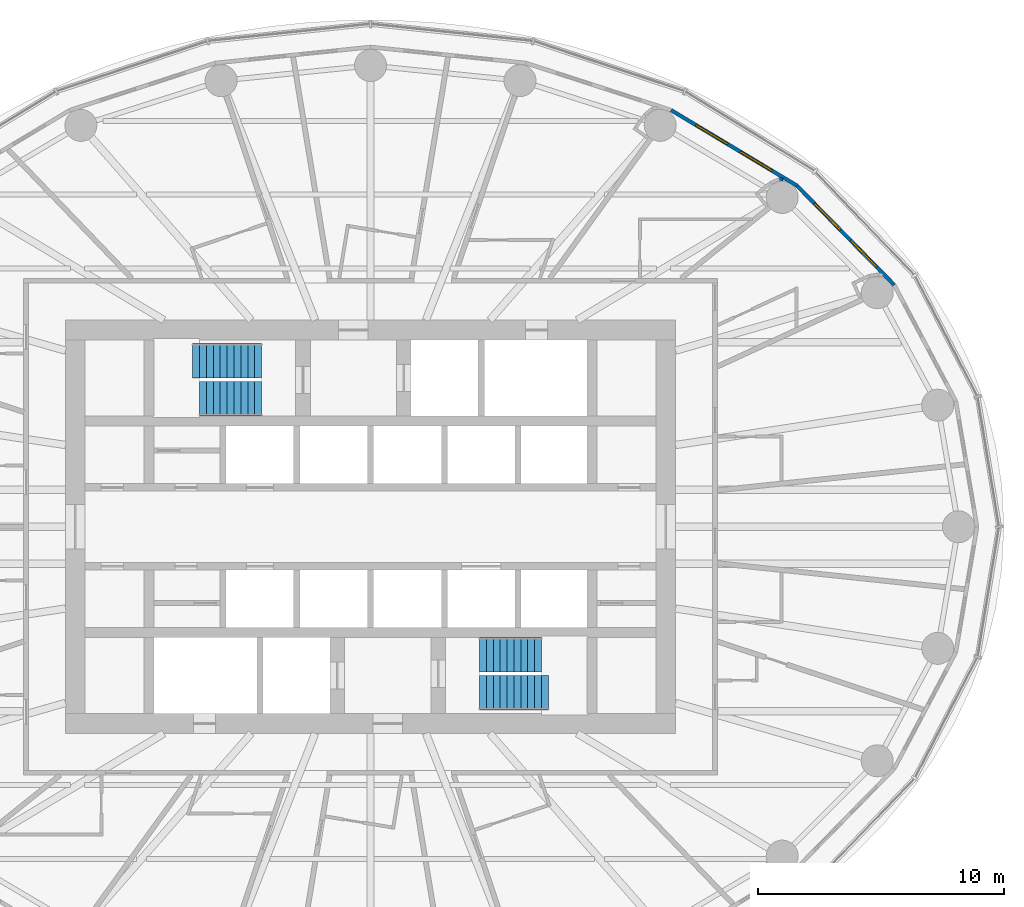
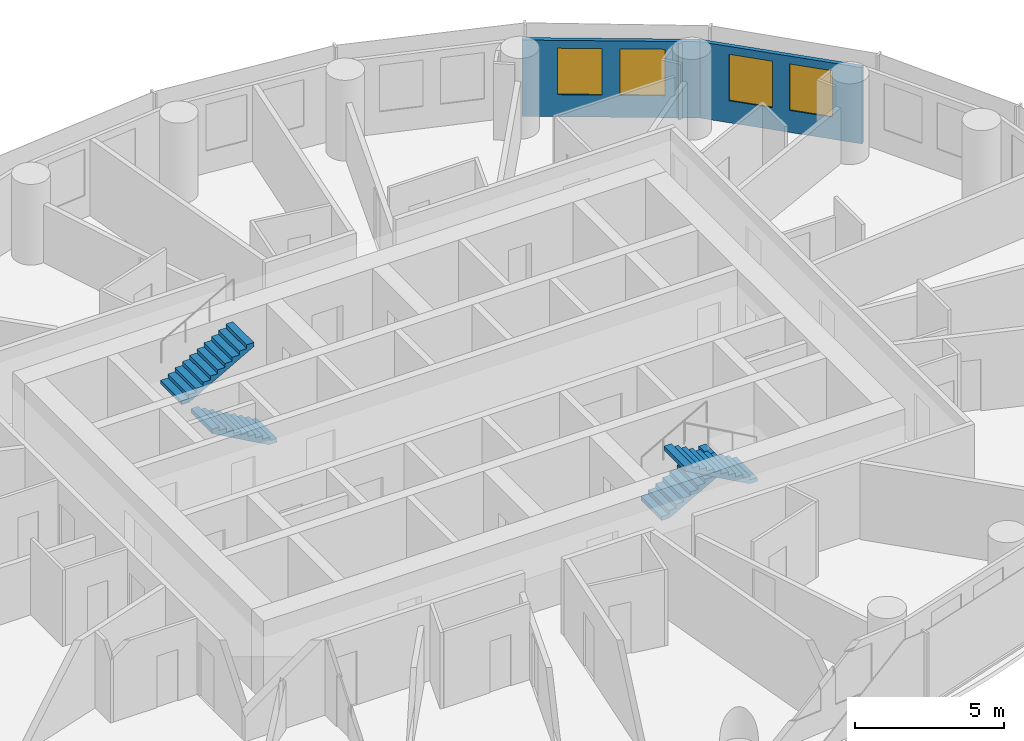
# One storey, part 12 of 13: 4 stair flights, 4 windows, 3 walls, 4 openings, 2 elements without a shape of their own.
"""IFC4 building model written with IfcOpenShell, lengths in metres."""

from ifc_helpers import new_model, si_unit, direction, frame, frame_2d, origin, place, context, subcontext, project, spatial, polyline, rectangle, outline, extrude, material, layer, layer_set, type_object, element, fill, aggregate, save


model = new_model("IFC4")

# Units and contexts
model_context = context("Model", 3, precision=1e-05, world=origin(), true_north=direction((0.0, 1.0)))
body_context = subcontext(model_context, "Body", "Model", "MODEL_VIEW")
ifc_project = project(units=[si_unit("LENGTHUNIT", "METRE"), si_unit("AREAUNIT", "SQUARE_METRE"), si_unit("VOLUMEUNIT", "CUBIC_METRE"), si_unit("PLANEANGLEUNIT", "RADIAN"), si_unit("MASSUNIT", "GRAM", prefix="KILO")], contexts=[model_context])

# Site, building, storey
site_placement = place(None, origin())
site = spatial("IfcSite", under=ifc_project, at=site_placement, CompositionType="ELEMENT")
building_placement = place(site_placement, origin())
building = spatial("IfcBuilding", under=site, at=building_placement, Name="Hankou Lantern Tower", CompositionType="ELEMENT")
storey_placement = place(building_placement, frame((0.0, 0.0, 118.800048828125)))
storey = spatial("IfcBuildingStorey", under=building, at=storey_placement, Name="L30", CompositionType="ELEMENT", Elevation=118.800048828125)

# Wall, openings, windows
ifc_material_1 = material(Name="Aluminium spandrel panel on steel studs", Category="steel")
ifc_layer_1 = layer(ifc_material_1, 0.14990234375)
ifc_layer_set_1 = layer_set([ifc_layer_1], Name="Aluminium spandrel panel on steel studs")
wall_type_1 = type_object("IfcWallType", Name="EW1 INNER SKIN WALL 150", PredefinedType="ELEMENTEDWALL", material=ifc_layer_set_1)
wall_1_placement = place(storey_placement, frame((21.287353515625, 9.83203125, 0.0), z_axis=(0.0, 0.0, 1.0), x_axis=(-0.700136650834, 0.714008872605, 0.0)))
wall_1 = element("IfcWall", 1, at=wall_1_placement, inside=storey, type_object=wall_type_1, Name="Inner skin R03-R04 L30", PredefinedType="ELEMENTEDWALL", context=body_context, shape_type="SweptSolid", body=[
    extrude(rectangle(XDim=5.6494140625, YDim=0.14990234375, at=frame_2d((2.82470703125, 0.0))), origin(), (0.0, 0.0, 1.0), 3.119873046875),
])
opening_1_placement = place(wall_1_placement, frame((1.024658203125, 0.0, 0.89990234375)))
opening_1 = element("IfcOpeningElement", 2, at=opening_1_placement, cuts=wall_1, Name="Opening W2", PredefinedType="OPENING", context=body_context, shape_type="SweptSolid", body=[
    extrude(rectangle(XDim=1.5, YDim=1.89990234375, at=frame_2d((0.75, 0.949951171875))), frame((0.0, 0.0849609375, 0.0), z_axis=(0.0, -1.0, 0.0), x_axis=(1.0, 0.0, 0.0)), (0.0, 0.0, 1.0), 0.169921875),
])
opening_2_placement = place(wall_1_placement, frame((3.12451171875, 0.0, 0.89990234375)))
opening_2 = element("IfcOpeningElement", 3, at=opening_2_placement, cuts=wall_1, Name="Opening W2", PredefinedType="OPENING", context=body_context, shape_type="SweptSolid", body=[
    extrude(rectangle(XDim=1.5, YDim=1.89990234375, at=frame_2d((0.75, 0.949951171875))), frame((0.0, 0.0849609375, 0.0), z_axis=(0.0, -1.0, 0.0), x_axis=(1.0, 0.0, 0.0)), (0.0, 0.0, 1.0), 0.169921875),
])
ifc_material_2 = material(Name="Aluminium framed double glazed window", Category="aluminium")
window_type = type_object("IfcWindowType", Name="W2 GUEST ROOM WINDOW 1500X1900", PartitioningType="DOUBLE_PANEL_VERTICAL", PredefinedType="WINDOW", material=ifc_material_2)
window_1_placement = place(opening_1_placement, origin())
window_1 = element("IfcWindow", 4, at=window_1_placement, inside=storey, type_object=window_type, Name="Window R03.1 L30", OverallHeight=1.89990234375, OverallWidth=1.5, PartitioningType="SINGLE_PANEL", PredefinedType="WINDOW", context=body_context, shape_type="SweptSolid", body=[
    extrude(rectangle(XDim=1.5, YDim=1.89990234375, at=frame_2d((0.75, 0.949951171875))), frame((0.0, 0.030029296875, 0.0), z_axis=(0.0, -1.0, 0.0), x_axis=(1.0, 0.0, 0.0)), (0.0, 0.0, 1.0), 0.06005859375),
])
fill(opening_1, window_1)
window_2_placement = place(opening_2_placement, origin())
window_2 = element("IfcWindow", 5, at=window_2_placement, inside=storey, type_object=window_type, Name="Window R03.2 L30", OverallHeight=1.89990234375, OverallWidth=1.5, PartitioningType="SINGLE_PANEL", PredefinedType="WINDOW", context=body_context, shape_type="SweptSolid", body=[
    extrude(rectangle(XDim=1.5, YDim=1.89990234375, at=frame_2d((0.75, 0.949951171875))), frame((0.0, 0.030029296875, 0.0), z_axis=(0.0, -1.0, 0.0), x_axis=(1.0, 0.0, 0.0)), (0.0, 0.0, 1.0), 0.06005859375),
])
fill(opening_2, window_2)

wall_2_placement = place(storey_placement, frame((17.33203125, 13.86572265625, 0.0), z_axis=(0.0, 0.0, 1.0), x_axis=(-0.857308573723, 0.514802884044, 0.0)))
wall_2 = element("IfcWall", 6, at=wall_2_placement, inside=storey, type_object=wall_type_1, Name="Inner skin R04-R05 L30", PredefinedType="ELEMENTEDWALL", context=body_context, shape_type="SweptSolid", body=[
    extrude(rectangle(XDim=5.961181640625, YDim=0.14990234375, at=frame_2d((2.98046875, 0.0))), origin(), (0.0, 0.0, 1.0), 3.119873046875),
])
opening_3_placement = place(wall_2_placement, frame((1.1806640625, 0.0, 0.89990234375)))
opening_3 = element("IfcOpeningElement", 7, at=opening_3_placement, cuts=wall_2, Name="Opening W2", PredefinedType="OPENING", context=body_context, shape_type="SweptSolid", body=[
    extrude(rectangle(XDim=1.5, YDim=1.89990234375, at=frame_2d((0.75, 0.949951171875))), frame((0.0, 0.0849609375, 0.0), z_axis=(0.0, -1.0, 0.0), x_axis=(1.0, 0.0, 0.0)), (0.0, 0.0, 1.0), 0.169921875),
])
opening_4_placement = place(wall_2_placement, frame((3.280517578125, 0.0, 0.89990234375)))
opening_4 = element("IfcOpeningElement", 8, at=opening_4_placement, cuts=wall_2, Name="Opening W2", PredefinedType="OPENING", context=body_context, shape_type="SweptSolid", body=[
    extrude(rectangle(XDim=1.5, YDim=1.89990234375, at=frame_2d((0.75, 0.949951171875))), frame((0.0, 0.0849609375, 0.0), z_axis=(0.0, -1.0, 0.0), x_axis=(1.0, 0.0, 0.0)), (0.0, 0.0, 1.0), 0.169921875),
])
window_3_placement = place(opening_3_placement, origin())
window_3 = element("IfcWindow", 9, at=window_3_placement, inside=storey, type_object=window_type, Name="Window R04.1 L30", OverallHeight=1.89990234375, OverallWidth=1.5, PartitioningType="SINGLE_PANEL", PredefinedType="WINDOW", context=body_context, shape_type="SweptSolid", body=[
    extrude(rectangle(XDim=1.5, YDim=1.89990234375, at=frame_2d((0.75, 0.949951171875))), frame((0.0, 0.030029296875, 0.0), z_axis=(0.0, -1.0, 0.0), x_axis=(1.0, 0.0, 0.0)), (0.0, 0.0, 1.0), 0.06005859375),
])
fill(opening_3, window_3)
window_4_placement = place(opening_4_placement, origin())
window_4 = element("IfcWindow", 10, at=window_4_placement, inside=storey, type_object=window_type, Name="Window R04.2 L30", OverallHeight=1.89990234375, OverallWidth=1.5, PartitioningType="SINGLE_PANEL", PredefinedType="WINDOW", context=body_context, shape_type="SweptSolid", body=[
    extrude(rectangle(XDim=1.5, YDim=1.89990234375, at=frame_2d((0.75, 0.949951171875))), frame((0.0, 0.030029296875, 0.0), z_axis=(0.0, -1.0, 0.0), x_axis=(1.0, 0.0, 0.0)), (0.0, 0.0, 1.0), 0.06005859375),
])
fill(opening_4, window_4)

# Wall
ifc_material_3 = material(Name="Masonry lightweight concrete block", Category="masonry")
ifc_layer_2 = layer(ifc_material_3, 0.1201171875)
ifc_layer_set_2 = layer_set([ifc_layer_2], Name="Masonry lightweight concrete block")
wall_type_2 = type_object("IfcWallType", Name="IW4 PARTITION 120", PredefinedType="PARTITIONING", material=ifc_layer_set_2)
wall_3_placement = place(storey_placement, frame((16.6201171875, 14.13427734375, 0.0), z_axis=(0.0, 0.0, 1.0), x_axis=(0.993941871493, -0.109907033867, 0.0)))
element("IfcWall", 11, at=wall_3_placement, inside=storey, type_object=wall_type_2, Name="Column casing R04", PredefinedType="PARTITIONING", context=body_context, shape_type="SweptSolid", body=[
    extrude(rectangle(XDim=0.1533203125, YDim=0.1201171875, at=frame_2d((0.07666015625, 0.0))), origin(), (0.0, 0.0, 1.0), 3.119873046875),
])

# Stair, stair flight
ifc_material_4 = material(Name="Concrete C40", Category="concrete")
stair_type = type_object("IfcStairType", Name="ST33 CORE STAIR 3300 RISE", PredefinedType="HALF_TURN_STAIR", material=ifc_material_4)
stair_1_placement = place(storey_placement, origin())
stair_1 = element("IfcStair", 12, at=stair_1_placement, inside=storey, type_object=stair_type, Name="Stair STA L30", PredefinedType="HALF_TURN_STAIR")
ifc_material_5 = material(Name="Concrete C40", Category="concrete")
stair_flight_type_1 = type_object("IfcStairFlightType", Name="CF10 CORE STAIR FLIGHT 1400 X 10 RISERS", PredefinedType="STRAIGHT", material=ifc_material_5)
stair_flight_1_placement = place(storey_placement, frame((-4.429931640625, 5.199951171875, 0.0), z_axis=(0.0, 0.0, 1.0), x_axis=(-1.0, 0.0, 0.0)))
stair_flight_1 = element("IfcStairFlight", 13, at=stair_flight_1_placement, type_object=stair_flight_type_1, Name="STA flight 1", NumberOfRisers=10, NumberOfTreads=9, PredefinedType="STRAIGHT", RiserHeight=0.157142857, TreadLength=0.28, context=body_context, shape_type="SweptSolid", body=[
    extrude(outline(polyline([(0.0, 0.0), (0.0, 0.1572265625), (0.280029296875, 0.1572265625), (0.280029296875, 0.314208984375), (0.56005859375, 0.314208984375), (0.56005859375, 0.471435546875), (0.840087890625, 0.471435546875), (0.840087890625, 0.628662109375), (1.1201171875, 0.628662109375), (1.1201171875, 0.78564453125), (1.39990234375, 0.78564453125), (1.39990234375, 0.94287109375), (1.679931640625, 0.94287109375), (1.679931640625, 1.10009765625), (1.9599609375, 1.10009765625), (1.9599609375, 1.257080078125), (2.239990234375, 1.257080078125), (2.239990234375, 1.414306640625), (2.52001953125, 1.414306640625), (2.52001953125, 1.571533203125), (2.52001953125, 1.242431640625), (0.306396484375, 0.0), (0.0, 0.0)])), frame((0.0, 0.699951171875, 0.0), z_axis=(0.0, -1.0, 0.0), x_axis=(1.0, 0.0, 0.0)), (0.0, 0.0, 1.0), 1.39990234375),
])

stair_2_placement = place(storey_placement, origin())
stair_2 = element("IfcStair", 14, at=stair_2_placement, inside=storey, type_object=stair_type, Name="Stair STB L30", PredefinedType="HALF_TURN_STAIR")
stair_flight_2_placement = place(storey_placement, frame((4.429931640625, -5.199951171875, 0.0), z_axis=(0.0, 0.0, 1.0), x_axis=(1.0, 0.0, 0.0)))
stair_flight_2 = element("IfcStairFlight", 15, at=stair_flight_2_placement, type_object=stair_flight_type_1, Name="STB flight 1", NumberOfRisers=10, NumberOfTreads=9, PredefinedType="STRAIGHT", RiserHeight=0.157142857, TreadLength=0.28, context=body_context, shape_type="SweptSolid", body=[
    extrude(outline(polyline([(0.0, 0.0), (0.0, 0.1572265625), (0.280029296875, 0.1572265625), (0.280029296875, 0.314208984375), (0.56005859375, 0.314208984375), (0.56005859375, 0.471435546875), (0.840087890625, 0.471435546875), (0.840087890625, 0.628662109375), (1.1201171875, 0.628662109375), (1.1201171875, 0.78564453125), (1.39990234375, 0.78564453125), (1.39990234375, 0.94287109375), (1.679931640625, 0.94287109375), (1.679931640625, 1.10009765625), (1.9599609375, 1.10009765625), (1.9599609375, 1.257080078125), (2.239990234375, 1.257080078125), (2.239990234375, 1.414306640625), (2.52001953125, 1.414306640625), (2.52001953125, 1.571533203125), (2.52001953125, 1.242431640625), (0.306396484375, 0.0), (0.0, 0.0)])), frame((0.0, 0.699951171875, 0.0), z_axis=(0.0, -1.0, 0.0), x_axis=(1.0, 0.0, 0.0)), (0.0, 0.0, 1.0), 1.39990234375),
])

# Stair flight
ifc_material_6 = material(Name="Concrete C40", Category="concrete")
stair_flight_type_2 = type_object("IfcStairFlightType", Name="CF11 CORE STAIR FLIGHT 1400 X 11 RISERS", PredefinedType="STRAIGHT", material=ifc_material_6)
stair_flight_3_placement = place(storey_placement, frame((-7.22998046875, 6.75, 1.5712890625), z_axis=(0.0, 0.0, 1.0), x_axis=(1.0, 0.0, 0.0)))
stair_flight_3 = element("IfcStairFlight", 16, at=stair_flight_3_placement, type_object=stair_flight_type_2, Name="STA flight 2", NumberOfRisers=11, NumberOfTreads=10, PredefinedType="STRAIGHT", RiserHeight=0.157142857, TreadLength=0.28, context=body_context, shape_type="SweptSolid", body=[
    extrude(outline(polyline([(0.0, 0.0), (0.0, 0.1572265625), (0.280029296875, 0.1572265625), (0.280029296875, 0.314208984375), (0.56005859375, 0.314208984375), (0.56005859375, 0.471435546875), (0.840087890625, 0.471435546875), (0.840087890625, 0.628662109375), (1.1201171875, 0.628662109375), (1.1201171875, 0.78564453125), (1.39990234375, 0.78564453125), (1.39990234375, 0.94287109375), (1.679931640625, 0.94287109375), (1.679931640625, 1.10009765625), (1.9599609375, 1.10009765625), (1.9599609375, 1.257080078125), (2.239990234375, 1.257080078125), (2.239990234375, 1.414306640625), (2.52001953125, 1.414306640625), (2.52001953125, 1.571533203125), (2.800048828125, 1.571533203125), (2.800048828125, 1.728515625), (2.800048828125, 1.3994140625), (0.306396484375, 0.0), (0.0, 0.0)])), frame((0.0, 0.699951171875, 0.0), z_axis=(0.0, -1.0, 0.0), x_axis=(1.0, 0.0, 0.0)), (0.0, 0.0, 1.0), 1.39990234375),
])

aggregate(stair_1, [stair_flight_1, stair_flight_3])

stair_flight_4_placement = place(storey_placement, frame((7.22998046875, -6.75, 1.5712890625), z_axis=(0.0, 0.0, 1.0), x_axis=(-1.0, 0.0, 0.0)))
stair_flight_4 = element("IfcStairFlight", 17, at=stair_flight_4_placement, type_object=stair_flight_type_2, Name="STB flight 2", NumberOfRisers=11, NumberOfTreads=10, PredefinedType="STRAIGHT", RiserHeight=0.157142857, TreadLength=0.28, context=body_context, shape_type="SweptSolid", body=[
    extrude(outline(polyline([(0.0, 0.0), (0.0, 0.1572265625), (0.280029296875, 0.1572265625), (0.280029296875, 0.314208984375), (0.56005859375, 0.314208984375), (0.56005859375, 0.471435546875), (0.840087890625, 0.471435546875), (0.840087890625, 0.628662109375), (1.1201171875, 0.628662109375), (1.1201171875, 0.78564453125), (1.39990234375, 0.78564453125), (1.39990234375, 0.94287109375), (1.679931640625, 0.94287109375), (1.679931640625, 1.10009765625), (1.9599609375, 1.10009765625), (1.9599609375, 1.257080078125), (2.239990234375, 1.257080078125), (2.239990234375, 1.414306640625), (2.52001953125, 1.414306640625), (2.52001953125, 1.571533203125), (2.800048828125, 1.571533203125), (2.800048828125, 1.728515625), (2.800048828125, 1.3994140625), (0.306396484375, 0.0), (0.0, 0.0)])), frame((0.0, 0.699951171875, 0.0), z_axis=(0.0, -1.0, 0.0), x_axis=(1.0, 0.0, 0.0)), (0.0, 0.0, 1.0), 1.39990234375),
])

aggregate(stair_2, [stair_flight_2, stair_flight_4])

save(model, "model.ifc")
